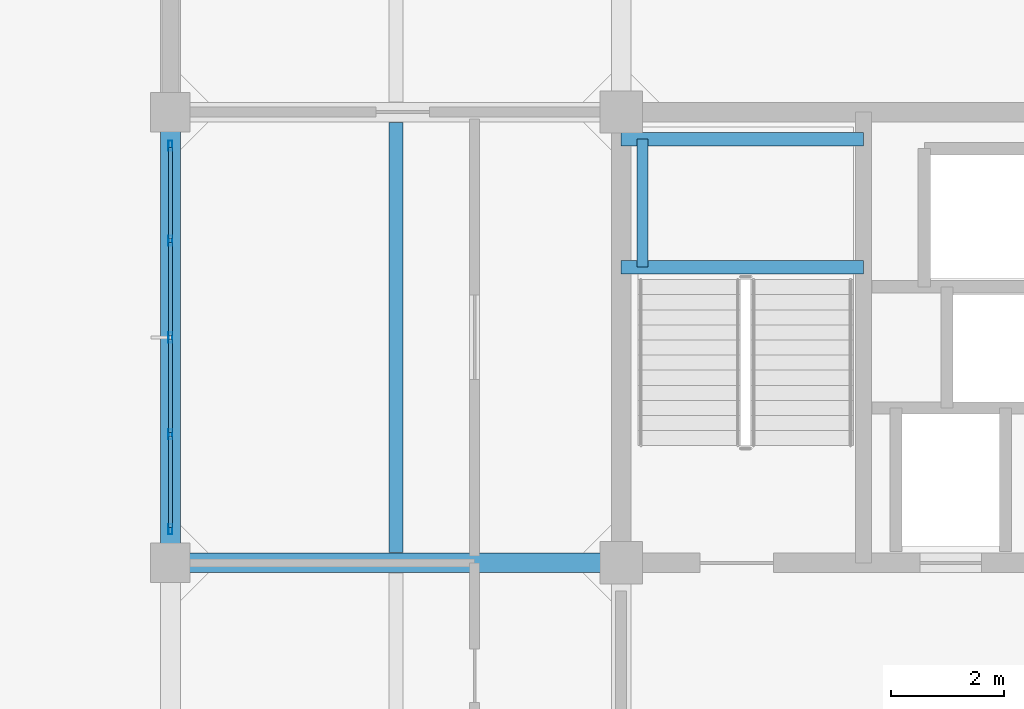
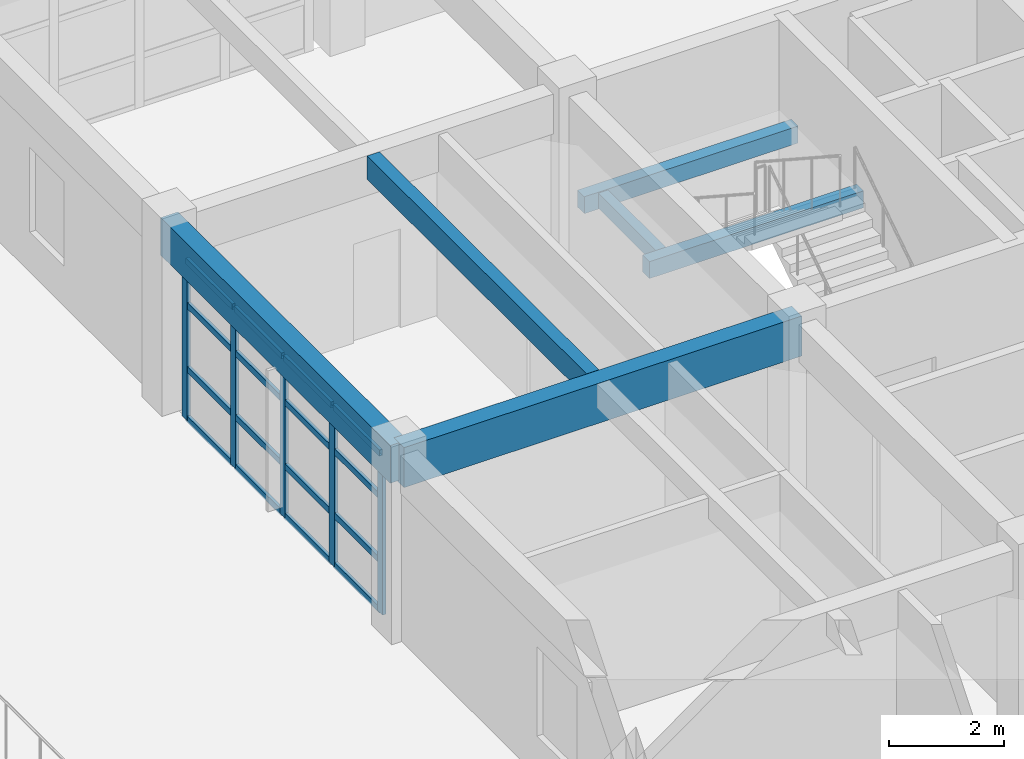
# One storey, part 7 of 25: 21 members, 6 beams, 1 element without a shape of its own.
"""IFC4 building model written with IfcOpenShell, lengths in metres."""

import ifcopenshell
import ifcopenshell.guid

model = None  # the IFC model being written
_history = None  # IfcOwnerHistory: only IFC2X3 demands one
_inside = {}  # id of a spatial element -> (the spatial element, [elements in it])
_under = {}  # id of a project, library or spatial element -> (it, [spatial elements below it])
_declared = {}  # id of a project -> (the project, [libraries it declares])
_typed = {}  # id of a type object -> (the type object, [elements of that type])
_made_of = {}  # id of a material, layer set ... -> (it, [elements and type objects made of it])


def new_model(schema):
    """Start an empty IFC model of exactly this schema.

    Asked for "IFC4X3", IfcOpenShell would pick the latest addendum, in which some entities
    have other attributes; the version numbers below select the first issue.
    IFC2X3 requires an IfcOwnerHistory on every rooted entity: one is made here for all.
    """
    global model, _history
    if schema == "IFC4X3":
        model = ifcopenshell.file(schema_version=(4, 3, 0, 0))
    else:
        model = ifcopenshell.file(schema=schema)
    _inside.clear()
    _under.clear()
    _declared.clear()
    _typed.clear()
    _made_of.clear()
    _history = None
    if model.schema == "IFC2X3":
        org = make("IfcOrganization", Name="unknown")
        user = make(
            "IfcPersonAndOrganization",
            ThePerson=make("IfcPerson", FamilyName="unknown"),
            TheOrganization=org,
        )
        app = make(
            "IfcApplication",
            ApplicationDeveloper=org,
            Version="unknown",
            ApplicationFullName="unknown",
            ApplicationIdentifier="unknown",
        )
        _history = make(
            "IfcOwnerHistory",
            OwningUser=user,
            OwningApplication=app,
            ChangeAction="ADDED",
            CreationDate=0,
        )
    return model


def make(cls, **values):
    """One entity of the class cls with the attributes given. An attribute that is None is left unset."""
    return model.create_entity(
        cls, **{name: value for name, value in values.items() if value is not None}
    )


def rooted(cls, **values):
    """An entity with a GlobalId (a new one), such as an element, a storey or a relation."""
    return make(cls, GlobalId=ifcopenshell.guid.new(), OwnerHistory=_history, **values)


def si_unit(unit_type, name, prefix=None):
    """IfcSIUnit, for example si_unit("LENGTHUNIT", "METRE", prefix="MILLI")."""
    return make("IfcSIUnit", UnitType=unit_type, Prefix=prefix, Name=name)


def assignment(units):
    """IfcUnitAssignment: the units of a project."""
    return None if units is None else make("IfcUnitAssignment", Units=units)


def point(xyz):
    """IfcCartesianPoint."""
    return None if xyz is None else make("IfcCartesianPoint", Coordinates=xyz)


def direction(xyz):
    """IfcDirection."""
    return None if xyz is None else make("IfcDirection", DirectionRatios=xyz)


def frame(location, z_axis=None, x_axis=None):
    """IfcAxis2Placement3D, a coordinate frame: its origin and axes. An axis left out is left unset."""
    return make(
        "IfcAxis2Placement3D",
        Location=point(location),
        Axis=direction(z_axis),
        RefDirection=direction(x_axis),
    )


def frame_2d(location, x_axis=None):
    """IfcAxis2Placement2D, a coordinate frame in the plane: its origin and x axis."""
    return make(
        "IfcAxis2Placement2D", Location=point(location), RefDirection=direction(x_axis)
    )


def origin():
    """The frame at (0, 0, 0) with its axes left unset."""
    return frame((0.0, 0.0, 0.0))


def origin_2d():
    """The frame at (0, 0) in the plane with its x axis left unset."""
    return frame_2d((0.0, 0.0))


def place(relative_to, where):
    """IfcLocalPlacement: puts the frame where relative to a parent placement (None: the world)."""
    return make(
        "IfcLocalPlacement", PlacementRelTo=relative_to, RelativePlacement=where
    )


def context(
    kind, dimensions, precision=None, world=None, true_north=None, identifier=None
):
    """IfcGeometricRepresentationContext, for example the 3D "Model" context."""
    return make(
        "IfcGeometricRepresentationContext",
        ContextIdentifier=identifier,
        ContextType=kind,
        CoordinateSpaceDimension=dimensions,
        Precision=precision,
        WorldCoordinateSystem=world,
        TrueNorth=true_north,
    )


def subcontext(parent, identifier, kind, view, scale=None):
    """IfcGeometricRepresentationSubContext, for example "Body" below "Model"."""
    return make(
        "IfcGeometricRepresentationSubContext",
        ContextIdentifier=identifier,
        ContextType=kind,
        ParentContext=parent,
        TargetScale=scale,
        TargetView=view,
    )


def project(units=None, contexts=None):
    """IfcProject with its units and contexts."""
    return rooted(
        "IfcProject",
        Name="project",
        RepresentationContexts=contexts,
        UnitsInContext=assignment(units),
    )


def spatial(cls, under=None, at=None, **own):
    """A site, building, storey or space (cls), placed at a placement, below another one or the project."""
    s = rooted(cls, ObjectPlacement=at, **own)
    if under is not None:
        _under.setdefault(under.id(), (under, []))[1].append(s)
    return s


def profile(cls, at=None, kind="AREA", **sizes):
    """A parametric profile (cls). Its sizes go by their IFC names, for example OverallWidth=200.0."""
    return make(cls, ProfileType=kind, Position=at, **sizes)


def rectangle(**sizes):
    """IfcRectangleProfileDef."""
    return profile("IfcRectangleProfileDef", **sizes)


def hollow_rectangle(**sizes):
    """IfcRectangleHollowProfileDef."""
    return profile("IfcRectangleHollowProfileDef", **sizes)


def extrude(swept, where, along, depth):
    """IfcExtrudedAreaSolid: the profile swept, set in the frame where, extruded along a direction by depth."""
    return make(
        "IfcExtrudedAreaSolid",
        SweptArea=swept,
        Position=where,
        ExtrudedDirection=direction(along),
        Depth=depth,
    )


def shape(context_of_items, identifier, shape_type, items):
    """IfcShapeRepresentation: the items that make up one representation, for example the "Body"."""
    return make(
        "IfcShapeRepresentation",
        ContextOfItems=context_of_items,
        RepresentationIdentifier=identifier,
        RepresentationType=shape_type,
        Items=items,
    )


def material(Name=None, Category=None):
    """IfcMaterial."""
    return make("IfcMaterial", Name=Name, Category=Category)


def layer(
    of_material, thickness, ventilated=None, Name=None, Category=None, Priority=None
):
    """IfcMaterialLayer: one layer of a wall or slab, of a material (None: an air gap)."""
    return make(
        "IfcMaterialLayer",
        Material=of_material,
        LayerThickness=thickness,
        IsVentilated=ventilated,
        Name=Name,
        Category=Category,
        Priority=Priority,
    )


def layer_set(layers, Name=None):
    """IfcMaterialLayerSet."""
    return make("IfcMaterialLayerSet", MaterialLayers=layers, LayerSetName=Name)


def material_profile(
    of_material, cross_section, Name=None, Category=None, Priority=None
):
    """IfcMaterialProfile: a cross section and its material."""
    return make(
        "IfcMaterialProfile",
        Name=Name,
        Material=of_material,
        Profile=cross_section,
        Priority=Priority,
        Category=Category,
    )


def profile_set(profiles, Name=None, composite=None):
    """IfcMaterialProfileSet."""
    return make(
        "IfcMaterialProfileSet",
        Name=Name,
        MaterialProfiles=profiles,
        CompositeProfile=composite,
    )


def made_of(thing, what):
    """Note that an element or type object is made of a material, layer set ...; save() writes the relation."""
    if what is not None:
        _made_of.setdefault(what.id(), (what, []))[1].append(thing)
    return thing


def type_object(cls, material=None, **own):
    """A type object (cls), such as IfcWallType, which elements share."""
    return made_of(rooted(cls, **own), material)


def element(
    cls,
    number,
    at=None,
    inside=None,
    cuts=None,
    type_object=None,
    material=None,
    context=None,
    identifier="Body",
    shape_type=None,
    held_by="IfcProductDefinitionShape",
    body=None,
    shapes=None,
    **own,
):
    """One element of the class cls, such as IfcWall. Its Tag is "e" and its number.

    at: its placement. inside: the storey or other place that contains it. cuts: it is an
    opening in that element (IfcRelVoidsElement). A single representation is given by context,
    identifier, shape_type and body (its items); several are given by shapes. held_by: the class
    of the entity that holds the representations. save() writes the other relations.
    """
    e = rooted(cls, Tag="e%d" % number, ObjectPlacement=at, **own)
    if body is not None:
        shapes = [shape(context, identifier, shape_type, body)]
    if shapes is not None:
        e.Representation = make(held_by, Representations=shapes)
    if inside is not None:
        _inside.setdefault(inside.id(), (inside, []))[1].append(e)
    if cuts is not None:
        rooted(
            "IfcRelVoidsElement", RelatingBuildingElement=cuts, RelatedOpeningElement=e
        )
    if type_object is not None:
        _typed.setdefault(type_object.id(), (type_object, []))[1].append(e)
    return made_of(e, material)


def aggregate(whole, parts):
    """IfcRelAggregates: a whole, such as a stair, and the parts it consists of."""
    return rooted("IfcRelAggregates", RelatingObject=whole, RelatedObjects=parts)


def save(model, path):
    """Write the relations noted so far, then the file.

    IfcRelAggregates (storeys below a building ...), IfcRelContainedInSpatialStructure (elements
    in a storey), IfcRelDefinesByType, IfcRelAssociatesMaterial and IfcRelDeclares: one each for
    every whole, place, type object, material and project.
    """
    for whole, parts in _under.values():
        aggregate(whole, parts)
    for where, things in _inside.values():
        rooted(
            "IfcRelContainedInSpatialStructure",
            RelatedElements=things,
            RelatingStructure=where,
        )
    for kind, things in _typed.values():
        rooted("IfcRelDefinesByType", RelatedObjects=things, RelatingType=kind)
    for what, things in _made_of.values():
        rooted("IfcRelAssociatesMaterial", RelatedObjects=things, RelatingMaterial=what)
    for by, libraries in _declared.values():
        rooted("IfcRelDeclares", RelatingContext=by, RelatedDefinitions=libraries)
    model.write(path)


model = new_model("IFC4")

# Units and contexts
model_context = context("Model", 3, precision=1e-05, world=origin(), true_north=direction((0.0, 1.0)))
body_context = subcontext(model_context, "Body", "Model", "MODEL_VIEW")
ifc_project = project(units=[si_unit("LENGTHUNIT", "METRE"), si_unit("AREAUNIT", "SQUARE_METRE"), si_unit("VOLUMEUNIT", "CUBIC_METRE"), si_unit("PLANEANGLEUNIT", "RADIAN"), si_unit("MASSUNIT", "GRAM", prefix="KILO")], contexts=[model_context])

# Site, building, storey
site_placement = place(None, origin())
site = spatial("IfcSite", under=ifc_project, at=site_placement, CompositionType="ELEMENT")
building_placement = place(site_placement, origin())
building = spatial("IfcBuilding", under=site, at=building_placement, Name="Canggui Botanical Conservatory", CompositionType="ELEMENT")
storey_placement = place(building_placement, frame((0.0, 0.0, 40.199951171875)))
storey = spatial("IfcBuildingStorey", under=building, at=storey_placement, Name="L10", CompositionType="ELEMENT", Elevation=40.199951171875)

# Beams
ifc_material_1 = material(Name="Concrete C35", Category="concrete")
ifc_material_profile_1 = material_profile(ifc_material_1, rectangle(XDim=0.25, YDim=0.5, at=origin_2d()), Name="RB 250x500")
ifc_profile_set_1 = profile_set([ifc_material_profile_1], Name="Concrete C35")
beam_type_1 = type_object("IfcBeamType", Name="BM-JST04", PredefinedType="JOIST", material=ifc_profile_set_1)
beam_1_placement = place(storey_placement, frame((150.0, 58.179931640625, 3.7099609375), z_axis=(0.0, 1.0, 0.0), x_axis=(-1.0, 0.0, 0.0)))
element("IfcBeam", 1, at=beam_1_placement, inside=storey, type_object=beam_type_1, Name="Secondary Floor Joist L10-1-4", PredefinedType="JOIST", context=body_context, shape_type="SweptSolid", body=[
    extrude(rectangle(XDim=0.25, YDim=0.5, at=origin_2d()), origin(), (0.0, 0.0, 1.0), 7.64013671875),
])
ifc_material_profile_2 = material_profile(ifc_material_1, rectangle(XDim=0.35009765625, YDim=0.85009765625, at=origin_2d()), Name="RB 350x850")
ifc_profile_set_2 = profile_set([ifc_material_profile_2], Name="Concrete C35")
beam_type_2 = type_object("IfcBeamType", Name="BM-KL14", PredefinedType="BEAM", material=ifc_profile_set_2)
beam_2_placement = place(storey_placement, frame((146.0, 58.0, 3.53515625), z_axis=(1.0, 0.0, 0.0), x_axis=(0.0, 1.0, 0.0)))
element("IfcBeam", 2, at=beam_2_placement, inside=storey, type_object=beam_type_2, Name="Frame Girder L10 Y58-1", PredefinedType="BEAM", context=body_context, shape_type="SweptSolid", body=[
    extrude(rectangle(XDim=0.35009765625, YDim=0.85009765625, at=origin_2d()), origin(), (0.0, 0.0, 1.0), 8.0),
])
ifc_material_profile_3 = material_profile(ifc_material_1, rectangle(XDim=0.35009765625, YDim=0.800048828125, at=origin_2d()), Name="RB 350x800")
ifc_profile_set_3 = profile_set([ifc_material_profile_3], Name="Concrete C35")
beam_type_3 = type_object("IfcBeamType", Name="BM-KL15", PredefinedType="BEAM", material=ifc_profile_set_3)
beam_3_placement = place(storey_placement, frame((146.0, 58.0, 3.56005859375), z_axis=(0.0, 1.0, 0.0), x_axis=(-1.0, 0.0, 0.0)))
element("IfcBeam", 3, at=beam_3_placement, inside=storey, type_object=beam_type_3, Name="Frame Girder L10 X146-4", PredefinedType="BEAM", context=body_context, shape_type="SweptSolid", body=[
    extrude(rectangle(XDim=0.35009765625, YDim=0.800048828125, at=origin_2d()), origin(), (0.0, 0.0, 1.0), 8.0),
])
ifc_material_profile_4 = material_profile(ifc_material_1, rectangle(XDim=0.239990234375, YDim=0.360107421875, at=origin_2d()), Name="RB 240x360")
ifc_profile_set_4 = profile_set([ifc_material_profile_4], Name="Concrete C35")
beam_type_4 = type_object("IfcBeamType", Name="BM-LIN01", PredefinedType="LINTEL", material=ifc_profile_set_4)
for number, where, z_axis, x_axis, name in (
    (4, (154.0, 63.24755859375, 1.719970703125), (1.0, 0.0, 0.0), (0.0, 1.0, 0.0), "ST-T2 Half-Landing Ledger Beam L10-1.1"),
    (5, (154.0, 65.52001953125, 1.719970703125), (1.0, 0.0, 0.0), (0.0, 1.0, 0.0), "ST-T2 Half-Landing Ledger Beam L10-1.2"),
):
    element("IfcBeam", number, at=place(storey_placement, frame(where, z_axis=z_axis, x_axis=x_axis)), inside=storey, type_object=beam_type_4, Name=name, PredefinedType="LINTEL", context=body_context, shape_type="SweptSolid", body=[
        extrude(rectangle(XDim=0.239990234375, YDim=0.360107421875, at=origin_2d()), origin(), (0.0, 0.0, 1.0), 4.300048828125),
    ])
ifc_material_profile_5 = material_profile(ifc_material_1, rectangle(XDim=0.199951171875, YDim=0.320068359375, at=origin_2d()), Name="RB 200x320")
ifc_profile_set_5 = profile_set([ifc_material_profile_5], Name="Concrete C35")
beam_type_5 = type_object("IfcBeamType", Name="BM-LIN02", PredefinedType="LINTEL", material=ifc_profile_set_5)
beam_4_placement = place(storey_placement, frame((154.3798828125, 63.24755859375, 1.719970703125), z_axis=(0.0, 1.0, 0.0), x_axis=(-1.0, 0.0, 0.0)))
element("IfcBeam", 6, at=beam_4_placement, inside=storey, type_object=beam_type_5, Name="ST-T2 Half-Landing Edge Ledger L10-1.3", PredefinedType="LINTEL", context=body_context, shape_type="SweptSolid", body=[
    extrude(rectangle(XDim=0.199951171875, YDim=0.320068359375, at=origin_2d()), origin(), (0.0, 0.0, 1.0), 2.2724609375),
])

# Curtain wall, members
ifc_material_2 = material(Name="Thermally Broken Aluminium", Category="aluminium")
ifc_layer = layer(ifc_material_2, 0.179931640625, Name="Thermally Broken Aluminium", Category="aluminium")
ifc_layer_set = layer_set([ifc_layer], Name="Thermally Broken Aluminium")
curtain_wall_type = type_object("IfcCurtainWallType", Name="CW-UNIT-A", PredefinedType="USERDEFINED", material=ifc_layer_set)
curtain_wall_placement = place(storey_placement, origin())
curtain_wall = element("IfcCurtainWall", 7, at=curtain_wall_placement, inside=storey, type_object=curtain_wall_type, Name="Facade Curtain Wall CW-TWR-L10-08", ObjectType="UNITISED CURTAIN WALL", PredefinedType="USERDEFINED")
ifc_material_profile_6 = material_profile(ifc_material_2, hollow_rectangle(XDim=0.070068359375, YDim=0.179931640625, WallThickness=0.00390625, at=origin_2d()), Name="CWM 70x180x4")
ifc_profile_set_6 = profile_set([ifc_material_profile_6], Name="Thermally Broken Aluminium")
member_type_1 = type_object("IfcMemberType", Name="CWM-01", PredefinedType="MULLION", material=ifc_profile_set_6)
member_1_placement = place(storey_placement, frame((146.0, 58.594970703125, 0.0), z_axis=(0.0, 0.0, 1.0), x_axis=(-1.0, 0.0, 0.0)))
member_1 = element("IfcMember", 8, at=member_1_placement, type_object=member_type_1, Name="CW-01 mullion 1", PredefinedType="MULLION", context=body_context, shape_type="SweptSolid", body=[
    extrude(hollow_rectangle(XDim=0.070068359375, YDim=0.179931640625, WallThickness=0.00390625, at=origin_2d()), origin(), (0.0, 0.0, 1.0), 3.400146484375),
])
member_2_placement = place(storey_placement, frame((146.0, 60.280029296875, 0.0), z_axis=(0.0, 0.0, 1.0), x_axis=(-1.0, 0.0, 0.0)))
member_2 = element("IfcMember", 9, at=member_2_placement, type_object=member_type_1, Name="CW-01 mullion 2", PredefinedType="MULLION", context=body_context, shape_type="SweptSolid", body=[
    extrude(hollow_rectangle(XDim=0.070068359375, YDim=0.179931640625, WallThickness=0.00390625, at=origin_2d()), origin(), (0.0, 0.0, 1.0), 3.400146484375),
])
member_3_placement = place(storey_placement, frame((146.0, 62.0, 0.0), z_axis=(0.0, 0.0, 1.0), x_axis=(-1.0, 0.0, 0.0)))
member_3 = element("IfcMember", 10, at=member_3_placement, type_object=member_type_1, Name="CW-01 mullion 3", PredefinedType="MULLION", context=body_context, shape_type="SweptSolid", body=[
    extrude(hollow_rectangle(XDim=0.070068359375, YDim=0.179931640625, WallThickness=0.00390625, at=origin_2d()), origin(), (0.0, 0.0, 1.0), 3.400146484375),
])
member_4_placement = place(storey_placement, frame((146.0, 63.719970703125, 0.0), z_axis=(0.0, 0.0, 1.0), x_axis=(-1.0, 0.0, 0.0)))
member_4 = element("IfcMember", 11, at=member_4_placement, type_object=member_type_1, Name="CW-01 mullion 4", PredefinedType="MULLION", context=body_context, shape_type="SweptSolid", body=[
    extrude(hollow_rectangle(XDim=0.070068359375, YDim=0.179931640625, WallThickness=0.00390625, at=origin_2d()), origin(), (0.0, 0.0, 1.0), 3.400146484375),
])
member_5_placement = place(storey_placement, frame((146.0, 65.405029296875, 0.0), z_axis=(0.0, 0.0, 1.0), x_axis=(-1.0, 0.0, 0.0)))
member_5 = element("IfcMember", 12, at=member_5_placement, type_object=member_type_1, Name="CW-01 mullion 5", PredefinedType="MULLION", context=body_context, shape_type="SweptSolid", body=[
    extrude(hollow_rectangle(XDim=0.070068359375, YDim=0.179931640625, WallThickness=0.00390625, at=origin_2d()), origin(), (0.0, 0.0, 1.0), 3.400146484375),
])
ifc_material_profile_7 = material_profile(ifc_material_2, hollow_rectangle(XDim=0.06494140625, YDim=0.1298828125, WallThickness=0.00341796875, at=origin_2d()), Name="CWT 65x130x3.5")
ifc_profile_set_7 = profile_set([ifc_material_profile_7], Name="Thermally Broken Aluminium")
member_type_2 = type_object("IfcMemberType", Name="CWT-01", PredefinedType="USERDEFINED", material=ifc_profile_set_7)
member_6_placement = place(storey_placement, frame((146.0, 58.6298828125, 0.032470703125), z_axis=(0.0, 1.0, 0.0), x_axis=(-1.0, 0.0, 0.0)))
member_6 = element("IfcMember", 13, at=member_6_placement, type_object=member_type_2, Name="CW-01 transom 1.1", ObjectType="TRANSOM", PredefinedType="USERDEFINED", context=body_context, shape_type="SweptSolid", body=[
    extrude(hollow_rectangle(XDim=0.06494140625, YDim=0.1298828125, WallThickness=0.00341796875, at=origin_2d()), origin(), (0.0, 0.0, 1.0), 1.615234375),
])
member_7_placement = place(storey_placement, frame((146.0, 58.6298828125, 1.088134765625), z_axis=(0.0, 1.0, 0.0), x_axis=(-1.0, 0.0, 0.0)))
member_7 = element("IfcMember", 14, at=member_7_placement, type_object=member_type_2, Name="CW-01 transom 1.2", ObjectType="TRANSOM", PredefinedType="USERDEFINED", context=body_context, shape_type="SweptSolid", body=[
    extrude(hollow_rectangle(XDim=0.06494140625, YDim=0.1298828125, WallThickness=0.00341796875, at=origin_2d()), origin(), (0.0, 0.0, 1.0), 1.615234375),
])
member_8_placement = place(storey_placement, frame((146.0, 58.6298828125, 2.447998046875), z_axis=(0.0, 1.0, 0.0), x_axis=(-1.0, 0.0, 0.0)))
member_8 = element("IfcMember", 15, at=member_8_placement, type_object=member_type_2, Name="CW-01 transom 1.3", ObjectType="TRANSOM", PredefinedType="USERDEFINED", context=body_context, shape_type="SweptSolid", body=[
    extrude(hollow_rectangle(XDim=0.06494140625, YDim=0.1298828125, WallThickness=0.00341796875, at=origin_2d()), origin(), (0.0, 0.0, 1.0), 1.615234375),
])
member_9_placement = place(storey_placement, frame((146.0, 58.6298828125, 3.367431640625), z_axis=(0.0, 1.0, 0.0), x_axis=(-1.0, 0.0, 0.0)))
member_9 = element("IfcMember", 16, at=member_9_placement, type_object=member_type_2, Name="CW-01 transom 1.4", ObjectType="TRANSOM", PredefinedType="USERDEFINED", context=body_context, shape_type="SweptSolid", body=[
    extrude(hollow_rectangle(XDim=0.06494140625, YDim=0.1298828125, WallThickness=0.00341796875, at=origin_2d()), origin(), (0.0, 0.0, 1.0), 1.615234375),
])
member_10_placement = place(storey_placement, frame((146.0, 60.31494140625, 0.032470703125), z_axis=(0.0, 1.0, 0.0), x_axis=(-1.0, 0.0, 0.0)))
member_10 = element("IfcMember", 17, at=member_10_placement, type_object=member_type_2, Name="CW-01 transom 2.1", ObjectType="TRANSOM", PredefinedType="USERDEFINED", context=body_context, shape_type="SweptSolid", body=[
    extrude(hollow_rectangle(XDim=0.06494140625, YDim=0.1298828125, WallThickness=0.00341796875, at=origin_2d()), origin(), (0.0, 0.0, 1.0), 1.650146484375),
])
member_11_placement = place(storey_placement, frame((146.0, 60.31494140625, 1.088134765625), z_axis=(0.0, 1.0, 0.0), x_axis=(-1.0, 0.0, 0.0)))
member_11 = element("IfcMember", 18, at=member_11_placement, type_object=member_type_2, Name="CW-01 transom 2.2", ObjectType="TRANSOM", PredefinedType="USERDEFINED", context=body_context, shape_type="SweptSolid", body=[
    extrude(hollow_rectangle(XDim=0.06494140625, YDim=0.1298828125, WallThickness=0.00341796875, at=origin_2d()), origin(), (0.0, 0.0, 1.0), 1.650146484375),
])
member_12_placement = place(storey_placement, frame((146.0, 60.31494140625, 2.447998046875), z_axis=(0.0, 1.0, 0.0), x_axis=(-1.0, 0.0, 0.0)))
member_12 = element("IfcMember", 19, at=member_12_placement, type_object=member_type_2, Name="CW-01 transom 2.3", ObjectType="TRANSOM", PredefinedType="USERDEFINED", context=body_context, shape_type="SweptSolid", body=[
    extrude(hollow_rectangle(XDim=0.06494140625, YDim=0.1298828125, WallThickness=0.00341796875, at=origin_2d()), origin(), (0.0, 0.0, 1.0), 1.650146484375),
])
member_13_placement = place(storey_placement, frame((146.0, 60.31494140625, 3.367431640625), z_axis=(0.0, 1.0, 0.0), x_axis=(-1.0, 0.0, 0.0)))
member_13 = element("IfcMember", 20, at=member_13_placement, type_object=member_type_2, Name="CW-01 transom 2.4", ObjectType="TRANSOM", PredefinedType="USERDEFINED", context=body_context, shape_type="SweptSolid", body=[
    extrude(hollow_rectangle(XDim=0.06494140625, YDim=0.1298828125, WallThickness=0.00341796875, at=origin_2d()), origin(), (0.0, 0.0, 1.0), 1.650146484375),
])
member_14_placement = place(storey_placement, frame((146.0, 62.034912109375, 0.032470703125), z_axis=(0.0, 1.0, 0.0), x_axis=(-1.0, 0.0, 0.0)))
member_14 = element("IfcMember", 21, at=member_14_placement, type_object=member_type_2, Name="CW-01 transom 3.1", ObjectType="TRANSOM", PredefinedType="USERDEFINED", context=body_context, shape_type="SweptSolid", body=[
    extrude(hollow_rectangle(XDim=0.06494140625, YDim=0.1298828125, WallThickness=0.00341796875, at=origin_2d()), origin(), (0.0, 0.0, 1.0), 1.650146484375),
])
member_15_placement = place(storey_placement, frame((146.0, 62.034912109375, 1.088134765625), z_axis=(0.0, 1.0, 0.0), x_axis=(-1.0, 0.0, 0.0)))
member_15 = element("IfcMember", 22, at=member_15_placement, type_object=member_type_2, Name="CW-01 transom 3.2", ObjectType="TRANSOM", PredefinedType="USERDEFINED", context=body_context, shape_type="SweptSolid", body=[
    extrude(hollow_rectangle(XDim=0.06494140625, YDim=0.1298828125, WallThickness=0.00341796875, at=origin_2d()), origin(), (0.0, 0.0, 1.0), 1.650146484375),
])
member_16_placement = place(storey_placement, frame((146.0, 62.034912109375, 2.447998046875), z_axis=(0.0, 1.0, 0.0), x_axis=(-1.0, 0.0, 0.0)))
member_16 = element("IfcMember", 23, at=member_16_placement, type_object=member_type_2, Name="CW-01 transom 3.3", ObjectType="TRANSOM", PredefinedType="USERDEFINED", context=body_context, shape_type="SweptSolid", body=[
    extrude(hollow_rectangle(XDim=0.06494140625, YDim=0.1298828125, WallThickness=0.00341796875, at=origin_2d()), origin(), (0.0, 0.0, 1.0), 1.650146484375),
])
member_17_placement = place(storey_placement, frame((146.0, 62.034912109375, 3.367431640625), z_axis=(0.0, 1.0, 0.0), x_axis=(-1.0, 0.0, 0.0)))
member_17 = element("IfcMember", 24, at=member_17_placement, type_object=member_type_2, Name="CW-01 transom 3.4", ObjectType="TRANSOM", PredefinedType="USERDEFINED", context=body_context, shape_type="SweptSolid", body=[
    extrude(hollow_rectangle(XDim=0.06494140625, YDim=0.1298828125, WallThickness=0.00341796875, at=origin_2d()), origin(), (0.0, 0.0, 1.0), 1.650146484375),
])
member_18_placement = place(storey_placement, frame((146.0, 63.7548828125, 0.032470703125), z_axis=(0.0, 1.0, 0.0), x_axis=(-1.0, 0.0, 0.0)))
member_18 = element("IfcMember", 25, at=member_18_placement, type_object=member_type_2, Name="CW-01 transom 4.1", ObjectType="TRANSOM", PredefinedType="USERDEFINED", context=body_context, shape_type="SweptSolid", body=[
    extrude(hollow_rectangle(XDim=0.06494140625, YDim=0.1298828125, WallThickness=0.00341796875, at=origin_2d()), origin(), (0.0, 0.0, 1.0), 1.615234375),
])
member_19_placement = place(storey_placement, frame((146.0, 63.7548828125, 1.088134765625), z_axis=(0.0, 1.0, 0.0), x_axis=(-1.0, 0.0, 0.0)))
member_19 = element("IfcMember", 26, at=member_19_placement, type_object=member_type_2, Name="CW-01 transom 4.2", ObjectType="TRANSOM", PredefinedType="USERDEFINED", context=body_context, shape_type="SweptSolid", body=[
    extrude(hollow_rectangle(XDim=0.06494140625, YDim=0.1298828125, WallThickness=0.00341796875, at=origin_2d()), origin(), (0.0, 0.0, 1.0), 1.615234375),
])
member_20_placement = place(storey_placement, frame((146.0, 63.7548828125, 2.447998046875), z_axis=(0.0, 1.0, 0.0), x_axis=(-1.0, 0.0, 0.0)))
member_20 = element("IfcMember", 27, at=member_20_placement, type_object=member_type_2, Name="CW-01 transom 4.3", ObjectType="TRANSOM", PredefinedType="USERDEFINED", context=body_context, shape_type="SweptSolid", body=[
    extrude(hollow_rectangle(XDim=0.06494140625, YDim=0.1298828125, WallThickness=0.00341796875, at=origin_2d()), origin(), (0.0, 0.0, 1.0), 1.615234375),
])
member_21_placement = place(storey_placement, frame((146.0, 63.7548828125, 3.367431640625), z_axis=(0.0, 1.0, 0.0), x_axis=(-1.0, 0.0, 0.0)))
member_21 = element("IfcMember", 28, at=member_21_placement, type_object=member_type_2, Name="CW-01 transom 4.4", ObjectType="TRANSOM", PredefinedType="USERDEFINED", context=body_context, shape_type="SweptSolid", body=[
    extrude(hollow_rectangle(XDim=0.06494140625, YDim=0.1298828125, WallThickness=0.00341796875, at=origin_2d()), origin(), (0.0, 0.0, 1.0), 1.615234375),
])
aggregate(curtain_wall, [member_1, member_2, member_3, member_4, member_5, member_6, member_7, member_8, member_9, member_10, member_11, member_12, member_13, member_14, member_15, member_16, member_17, member_18, member_19, member_20, member_21])

save(model, "model.ifc")
